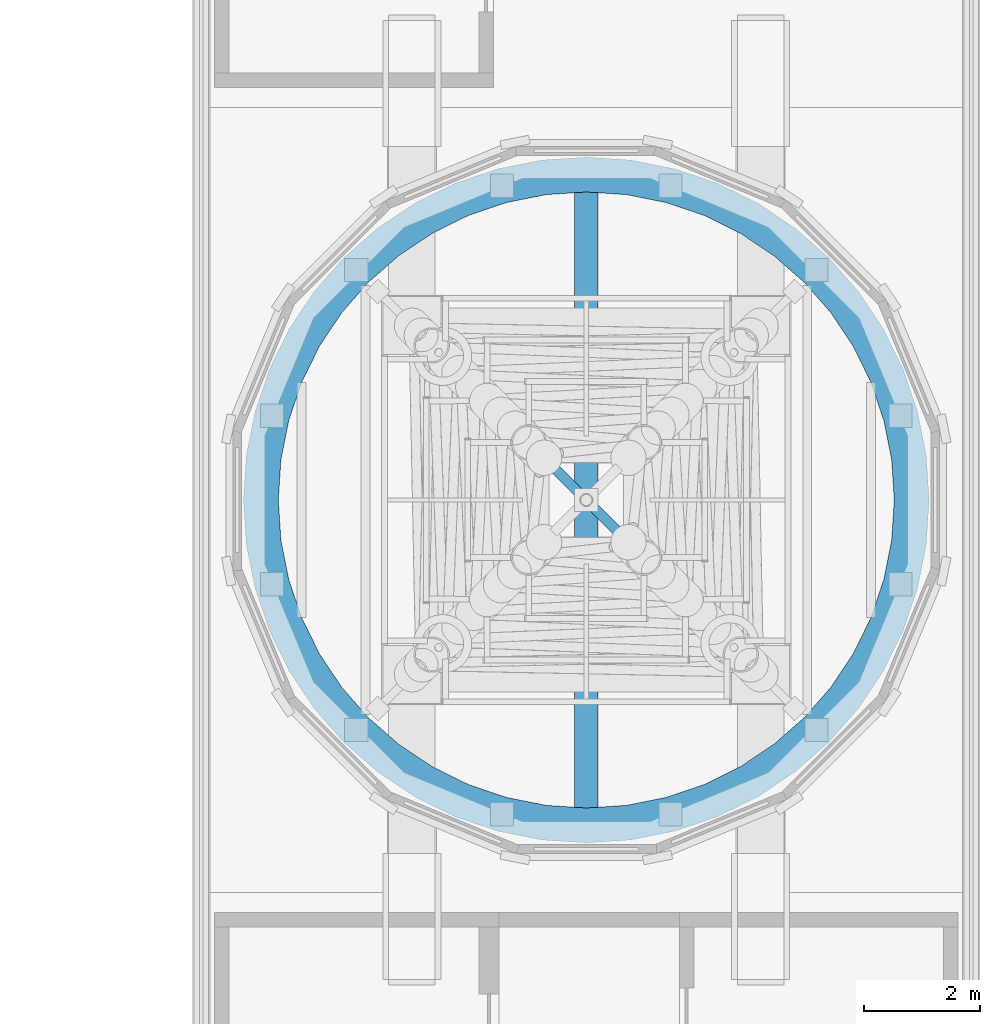
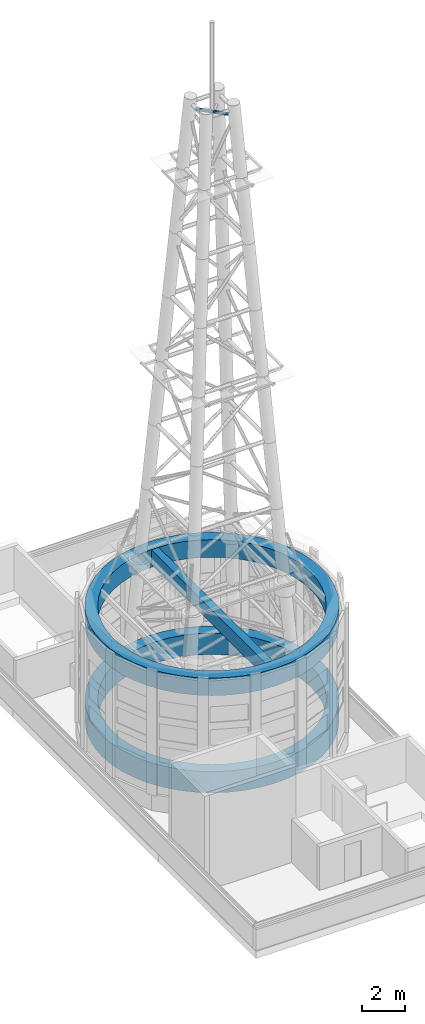
# One storey, part 6 of 36: 3 beams, 1 member.
"""IFC4 building model written with IfcOpenShell, lengths in metres."""

import ifcopenshell
import ifcopenshell.guid

model = None  # the IFC model being written
_history = None  # IfcOwnerHistory: only IFC2X3 demands one
_inside = {}  # id of a spatial element -> (the spatial element, [elements in it])
_under = {}  # id of a project, library or spatial element -> (it, [spatial elements below it])
_declared = {}  # id of a project -> (the project, [libraries it declares])
_typed = {}  # id of a type object -> (the type object, [elements of that type])
_made_of = {}  # id of a material, layer set ... -> (it, [elements and type objects made of it])


def new_model(schema):
    """Start an empty IFC model of exactly this schema.

    Asked for "IFC4X3", IfcOpenShell would pick the latest addendum, in which some entities
    have other attributes; the version numbers below select the first issue.
    IFC2X3 requires an IfcOwnerHistory on every rooted entity: one is made here for all.
    """
    global model, _history
    if schema == "IFC4X3":
        model = ifcopenshell.file(schema_version=(4, 3, 0, 0))
    else:
        model = ifcopenshell.file(schema=schema)
    _inside.clear()
    _under.clear()
    _declared.clear()
    _typed.clear()
    _made_of.clear()
    _history = None
    if model.schema == "IFC2X3":
        org = make("IfcOrganization", Name="unknown")
        user = make(
            "IfcPersonAndOrganization",
            ThePerson=make("IfcPerson", FamilyName="unknown"),
            TheOrganization=org,
        )
        app = make(
            "IfcApplication",
            ApplicationDeveloper=org,
            Version="unknown",
            ApplicationFullName="unknown",
            ApplicationIdentifier="unknown",
        )
        _history = make(
            "IfcOwnerHistory",
            OwningUser=user,
            OwningApplication=app,
            ChangeAction="ADDED",
            CreationDate=0,
        )
    return model


def make(cls, **values):
    """One entity of the class cls with the attributes given. An attribute that is None is left unset."""
    return model.create_entity(
        cls, **{name: value for name, value in values.items() if value is not None}
    )


def rooted(cls, **values):
    """An entity with a GlobalId (a new one), such as an element, a storey or a relation."""
    return make(cls, GlobalId=ifcopenshell.guid.new(), OwnerHistory=_history, **values)


def si_unit(unit_type, name, prefix=None):
    """IfcSIUnit, for example si_unit("LENGTHUNIT", "METRE", prefix="MILLI")."""
    return make("IfcSIUnit", UnitType=unit_type, Prefix=prefix, Name=name)


def assignment(units):
    """IfcUnitAssignment: the units of a project."""
    return None if units is None else make("IfcUnitAssignment", Units=units)


def point(xyz):
    """IfcCartesianPoint."""
    return None if xyz is None else make("IfcCartesianPoint", Coordinates=xyz)


def direction(xyz):
    """IfcDirection."""
    return None if xyz is None else make("IfcDirection", DirectionRatios=xyz)


def frame(location, z_axis=None, x_axis=None):
    """IfcAxis2Placement3D, a coordinate frame: its origin and axes. An axis left out is left unset."""
    return make(
        "IfcAxis2Placement3D",
        Location=point(location),
        Axis=direction(z_axis),
        RefDirection=direction(x_axis),
    )


def frame_2d(location, x_axis=None):
    """IfcAxis2Placement2D, a coordinate frame in the plane: its origin and x axis."""
    return make(
        "IfcAxis2Placement2D", Location=point(location), RefDirection=direction(x_axis)
    )


def origin():
    """The frame at (0, 0, 0) with its axes left unset."""
    return frame((0.0, 0.0, 0.0))


def origin_2d():
    """The frame at (0, 0) in the plane with its x axis left unset."""
    return frame_2d((0.0, 0.0))


def place(relative_to, where):
    """IfcLocalPlacement: puts the frame where relative to a parent placement (None: the world)."""
    return make(
        "IfcLocalPlacement", PlacementRelTo=relative_to, RelativePlacement=where
    )


def context(
    kind, dimensions, precision=None, world=None, true_north=None, identifier=None
):
    """IfcGeometricRepresentationContext, for example the 3D "Model" context."""
    return make(
        "IfcGeometricRepresentationContext",
        ContextIdentifier=identifier,
        ContextType=kind,
        CoordinateSpaceDimension=dimensions,
        Precision=precision,
        WorldCoordinateSystem=world,
        TrueNorth=true_north,
    )


def subcontext(parent, identifier, kind, view, scale=None):
    """IfcGeometricRepresentationSubContext, for example "Body" below "Model"."""
    return make(
        "IfcGeometricRepresentationSubContext",
        ContextIdentifier=identifier,
        ContextType=kind,
        ParentContext=parent,
        TargetScale=scale,
        TargetView=view,
    )


def project(units=None, contexts=None):
    """IfcProject with its units and contexts."""
    return rooted(
        "IfcProject",
        Name="project",
        RepresentationContexts=contexts,
        UnitsInContext=assignment(units),
    )


def spatial(cls, under=None, at=None, **own):
    """A site, building, storey or space (cls), placed at a placement, below another one or the project."""
    s = rooted(cls, ObjectPlacement=at, **own)
    if under is not None:
        _under.setdefault(under.id(), (under, []))[1].append(s)
    return s


def polyline(points):
    """IfcPolyline through the points."""
    return make("IfcPolyline", Points=[point(p) for p in points])


def profile(cls, at=None, kind="AREA", **sizes):
    """A parametric profile (cls). Its sizes go by their IFC names, for example OverallWidth=200.0."""
    return make(cls, ProfileType=kind, Position=at, **sizes)


def hollow_rectangle(**sizes):
    """IfcRectangleHollowProfileDef."""
    return profile("IfcRectangleHollowProfileDef", **sizes)


def hollow_circle(**sizes):
    """IfcCircleHollowProfileDef."""
    return profile("IfcCircleHollowProfileDef", **sizes)


def outline(outer, holes=None, kind="AREA"):
    """IfcArbitraryClosedProfileDef: a profile drawn as a closed curve; with holes, ...WithVoids."""
    if holes is None:
        return make("IfcArbitraryClosedProfileDef", ProfileType=kind, OuterCurve=outer)
    return make(
        "IfcArbitraryProfileDefWithVoids",
        ProfileType=kind,
        OuterCurve=outer,
        InnerCurves=holes,
    )


def extrude(swept, where, along, depth):
    """IfcExtrudedAreaSolid: the profile swept, set in the frame where, extruded along a direction by depth."""
    return make(
        "IfcExtrudedAreaSolid",
        SweptArea=swept,
        Position=where,
        ExtrudedDirection=direction(along),
        Depth=depth,
    )


def shape(context_of_items, identifier, shape_type, items):
    """IfcShapeRepresentation: the items that make up one representation, for example the "Body"."""
    return make(
        "IfcShapeRepresentation",
        ContextOfItems=context_of_items,
        RepresentationIdentifier=identifier,
        RepresentationType=shape_type,
        Items=items,
    )


def material(Name=None, Category=None):
    """IfcMaterial."""
    return make("IfcMaterial", Name=Name, Category=Category)


def material_profile(
    of_material, cross_section, Name=None, Category=None, Priority=None
):
    """IfcMaterialProfile: a cross section and its material."""
    return make(
        "IfcMaterialProfile",
        Name=Name,
        Material=of_material,
        Profile=cross_section,
        Priority=Priority,
        Category=Category,
    )


def profile_set(profiles, Name=None, composite=None):
    """IfcMaterialProfileSet."""
    return make(
        "IfcMaterialProfileSet",
        Name=Name,
        MaterialProfiles=profiles,
        CompositeProfile=composite,
    )


def made_of(thing, what):
    """Note that an element or type object is made of a material, layer set ...; save() writes the relation."""
    if what is not None:
        _made_of.setdefault(what.id(), (what, []))[1].append(thing)
    return thing


def type_object(cls, material=None, **own):
    """A type object (cls), such as IfcWallType, which elements share."""
    return made_of(rooted(cls, **own), material)


def element(
    cls,
    number,
    at=None,
    inside=None,
    cuts=None,
    type_object=None,
    material=None,
    context=None,
    identifier="Body",
    shape_type=None,
    held_by="IfcProductDefinitionShape",
    body=None,
    shapes=None,
    **own,
):
    """One element of the class cls, such as IfcWall. Its Tag is "e" and its number.

    at: its placement. inside: the storey or other place that contains it. cuts: it is an
    opening in that element (IfcRelVoidsElement). A single representation is given by context,
    identifier, shape_type and body (its items); several are given by shapes. held_by: the class
    of the entity that holds the representations. save() writes the other relations.
    """
    e = rooted(cls, Tag="e%d" % number, ObjectPlacement=at, **own)
    if body is not None:
        shapes = [shape(context, identifier, shape_type, body)]
    if shapes is not None:
        e.Representation = make(held_by, Representations=shapes)
    if inside is not None:
        _inside.setdefault(inside.id(), (inside, []))[1].append(e)
    if cuts is not None:
        rooted(
            "IfcRelVoidsElement", RelatingBuildingElement=cuts, RelatedOpeningElement=e
        )
    if type_object is not None:
        _typed.setdefault(type_object.id(), (type_object, []))[1].append(e)
    return made_of(e, material)


def aggregate(whole, parts):
    """IfcRelAggregates: a whole, such as a stair, and the parts it consists of."""
    return rooted("IfcRelAggregates", RelatingObject=whole, RelatedObjects=parts)


def save(model, path):
    """Write the relations noted so far, then the file.

    IfcRelAggregates (storeys below a building ...), IfcRelContainedInSpatialStructure (elements
    in a storey), IfcRelDefinesByType, IfcRelAssociatesMaterial and IfcRelDeclares: one each for
    every whole, place, type object, material and project.
    """
    for whole, parts in _under.values():
        aggregate(whole, parts)
    for where, things in _inside.values():
        rooted(
            "IfcRelContainedInSpatialStructure",
            RelatedElements=things,
            RelatingStructure=where,
        )
    for kind, things in _typed.values():
        rooted("IfcRelDefinesByType", RelatedObjects=things, RelatingType=kind)
    for what, things in _made_of.values():
        rooted("IfcRelAssociatesMaterial", RelatedObjects=things, RelatingMaterial=what)
    for by, libraries in _declared.values():
        rooted("IfcRelDeclares", RelatingContext=by, RelatedDefinitions=libraries)
    model.write(path)


model = new_model("IFC4")

# Units and contexts
model_context = context("Model", 3, precision=1e-05, world=origin(), true_north=direction((0.0, 1.0)))
body_context = subcontext(model_context, "Body", "Model", "MODEL_VIEW")
ifc_project = project(units=[si_unit("LENGTHUNIT", "METRE"), si_unit("AREAUNIT", "SQUARE_METRE"), si_unit("VOLUMEUNIT", "CUBIC_METRE"), si_unit("PLANEANGLEUNIT", "RADIAN"), si_unit("MASSUNIT", "GRAM", prefix="KILO")], contexts=[model_context])

# Site, building, storey
site_placement = place(None, origin())
site = spatial("IfcSite", under=ifc_project, at=site_placement, CompositionType="ELEMENT")
building_placement = place(site_placement, origin())
building = spatial("IfcBuilding", under=site, at=building_placement, Name="Ipe Terrace Towers", CompositionType="ELEMENT")
storey_placement = place(building_placement, frame((0.0, 0.0, 264.89990234375)))
storey = spatial("IfcBuildingStorey", under=building, at=storey_placement, Name="Roof", CompositionType="ELEMENT", Elevation=264.89990234375)

# Beams
ifc_material_1 = material(Name="Concrete C40/50", Category="concrete")
beam_type_1 = type_object("IfcBeamType", Name="CROWN-DRUM RING BEAM C40/50 600x1000", PredefinedType="BEAM", material=ifc_material_1)
beam_1_placement = place(storey_placement, frame((0.0, 0.0, 6.7001953125)))
element("IfcBeam", 1, at=beam_1_placement, inside=storey, type_object=beam_type_1, Name="T2-CR-RB2 drum top ring beam", PredefinedType="BEAM", context=body_context, shape_type="SweptSolid", body=[
    extrude(outline(polyline([(36.0, 5.89990234375), (35.22998046875, 5.85009765625), (34.472900390625, 5.698974609375), (33.741943359375, 5.450927734375), (33.050048828125, 5.110107421875), (32.407958984375, 4.680908203125), (31.827880859375, 4.172119140625), (31.319091796875, 3.592041015625), (30.889892578125, 2.949951171875), (30.549072265625, 2.258056640625), (30.301025390625, 1.527099609375), (30.14990234375, 0.77001953125), (30.10009765625, 0.0), (30.14990234375, -0.77001953125), (30.301025390625, -1.527099609375), (30.549072265625, -2.258056640625), (30.889892578125, -2.949951171875), (31.319091796875, -3.592041015625), (31.827880859375, -4.172119140625), (32.407958984375, -4.680908203125), (33.050048828125, -5.110107421875), (33.741943359375, -5.450927734375), (34.472900390625, -5.698974609375), (35.22998046875, -5.85009765625), (36.0, -5.89990234375), (36.77001953125, -5.85009765625), (37.527099609375, -5.698974609375), (38.258056640625, -5.450927734375), (38.949951171875, -5.110107421875), (39.592041015625, -4.680908203125), (40.172119140625, -4.172119140625), (40.680908203125, -3.592041015625), (41.110107421875, -2.949951171875), (41.450927734375, -2.258056640625), (41.698974609375, -1.527099609375), (41.85009765625, -0.77001953125), (41.89990234375, 0.0), (41.85009765625, 0.77001953125), (41.698974609375, 1.527099609375), (41.450927734375, 2.258056640625), (41.110107421875, 2.949951171875), (40.680908203125, 3.592041015625), (40.172119140625, 4.172119140625), (39.592041015625, 4.680908203125), (38.949951171875, 5.110107421875), (38.258056640625, 5.450927734375), (37.527099609375, 5.698974609375), (36.77001953125, 5.85009765625), (36.0, 5.89990234375)]), holes=[polyline([(36.0, 5.300048828125), (35.30810546875, 5.2548828125), (34.6279296875, 5.118896484375), (33.971923828125, 4.89697265625), (33.35009765625, 4.590087890625), (32.77392578125, 4.205078125), (32.251953125, 3.748046875), (31.794921875, 3.22607421875), (31.409912109375, 2.64990234375), (31.10302734375, 2.028076171875), (30.881103515625, 1.3720703125), (30.7451171875, 0.69189453125), (30.699951171875, 0.0), (30.7451171875, -0.69189453125), (30.881103515625, -1.3720703125), (31.10302734375, -2.028076171875), (31.409912109375, -2.64990234375), (31.794921875, -3.22607421875), (32.251953125, -3.748046875), (32.77392578125, -4.205078125), (33.35009765625, -4.590087890625), (33.971923828125, -4.89697265625), (34.6279296875, -5.118896484375), (35.30810546875, -5.2548828125), (36.0, -5.300048828125), (36.69189453125, -5.2548828125), (37.3720703125, -5.118896484375), (38.028076171875, -4.89697265625), (38.64990234375, -4.590087890625), (39.22607421875, -4.205078125), (39.748046875, -3.748046875), (40.205078125, -3.22607421875), (40.590087890625, -2.64990234375), (40.89697265625, -2.028076171875), (41.118896484375, -1.3720703125), (41.2548828125, -0.69189453125), (41.300048828125, 0.0), (41.2548828125, 0.69189453125), (41.118896484375, 1.3720703125), (40.89697265625, 2.028076171875), (40.590087890625, 2.64990234375), (40.205078125, 3.22607421875), (39.748046875, 3.748046875), (39.22607421875, 4.205078125), (38.64990234375, 4.590087890625), (38.028076171875, 4.89697265625), (37.3720703125, 5.118896484375), (36.69189453125, 5.2548828125), (36.0, 5.300048828125)])]), origin(), (0.0, 0.0, 1.0), 1.0),
])
ifc_material_2 = material(Name="Steel S355", Category="steel")
ifc_material_profile_1 = material_profile(ifc_material_2, hollow_rectangle(XDim=0.39990234375, YDim=0.800048828125, WallThickness=0.02001953125, at=origin_2d()), Name="CROWN-DRUM ROOF BEAM BOX 400x800x20")
ifc_profile_set_1 = profile_set([ifc_material_profile_1], Name="Steel S355")
beam_type_2 = type_object("IfcBeamType", Name="CROWN-DRUM ROOF BEAM BOX 400x800x20", PredefinedType="BEAM", material=ifc_profile_set_1)
beam_2_placement = place(storey_placement, frame((36.0, -5.2880859375, 7.300048828125), z_axis=(0.0, 1.0, 0.0), x_axis=(-1.0, 0.0, 0.0)))
element("IfcBeam", 2, at=beam_2_placement, inside=storey, type_object=beam_type_2, Name="T2-CR-RF1 drum roof beam", PredefinedType="BEAM", context=body_context, shape_type="SweptSolid", body=[
    extrude(hollow_rectangle(XDim=0.39990234375, YDim=0.800048828125, WallThickness=0.02001953125, at=origin_2d()), origin(), (0.0, 0.0, 1.0), 10.576171875),
])
ifc_material_3 = material(Name="Concrete C40/50", Category="concrete")
beam_type_3 = type_object("IfcBeamType", Name="CROWN-DRUM TRANSFER GIRDER C40/50 600x1200", PredefinedType="BEAM", material=ifc_material_3)
beam_3_placement = place(storey_placement, frame((0.0, 0.0, 1.2001953125)))
element("IfcBeam", 3, at=beam_3_placement, inside=storey, type_object=beam_type_3, Name="T2-TG-C1 drum base transfer girder", PredefinedType="BEAM", context=body_context, shape_type="SweptSolid", body=[
    extrude(outline(polyline([(36.0, 5.89990234375), (35.22998046875, 5.85009765625), (34.472900390625, 5.698974609375), (33.741943359375, 5.450927734375), (33.050048828125, 5.110107421875), (32.407958984375, 4.680908203125), (31.827880859375, 4.172119140625), (31.319091796875, 3.592041015625), (30.889892578125, 2.949951171875), (30.549072265625, 2.258056640625), (30.301025390625, 1.527099609375), (30.14990234375, 0.77001953125), (30.10009765625, 0.0), (30.14990234375, -0.77001953125), (30.301025390625, -1.527099609375), (30.549072265625, -2.258056640625), (30.889892578125, -2.949951171875), (31.319091796875, -3.592041015625), (31.827880859375, -4.172119140625), (32.407958984375, -4.680908203125), (33.050048828125, -5.110107421875), (33.741943359375, -5.450927734375), (34.472900390625, -5.698974609375), (35.22998046875, -5.85009765625), (36.0, -5.89990234375), (36.77001953125, -5.85009765625), (37.527099609375, -5.698974609375), (38.258056640625, -5.450927734375), (38.949951171875, -5.110107421875), (39.592041015625, -4.680908203125), (40.172119140625, -4.172119140625), (40.680908203125, -3.592041015625), (41.110107421875, -2.949951171875), (41.450927734375, -2.258056640625), (41.698974609375, -1.527099609375), (41.85009765625, -0.77001953125), (41.89990234375, 0.0), (41.85009765625, 0.77001953125), (41.698974609375, 1.527099609375), (41.450927734375, 2.258056640625), (41.110107421875, 2.949951171875), (40.680908203125, 3.592041015625), (40.172119140625, 4.172119140625), (39.592041015625, 4.680908203125), (38.949951171875, 5.110107421875), (38.258056640625, 5.450927734375), (37.527099609375, 5.698974609375), (36.77001953125, 5.85009765625), (36.0, 5.89990234375)]), holes=[polyline([(36.0, 5.300048828125), (35.30810546875, 5.2548828125), (34.6279296875, 5.118896484375), (33.971923828125, 4.89697265625), (33.35009765625, 4.590087890625), (32.77392578125, 4.205078125), (32.251953125, 3.748046875), (31.794921875, 3.22607421875), (31.409912109375, 2.64990234375), (31.10302734375, 2.028076171875), (30.881103515625, 1.3720703125), (30.7451171875, 0.69189453125), (30.699951171875, 0.0), (30.7451171875, -0.69189453125), (30.881103515625, -1.3720703125), (31.10302734375, -2.028076171875), (31.409912109375, -2.64990234375), (31.794921875, -3.22607421875), (32.251953125, -3.748046875), (32.77392578125, -4.205078125), (33.35009765625, -4.590087890625), (33.971923828125, -4.89697265625), (34.6279296875, -5.118896484375), (35.30810546875, -5.2548828125), (36.0, -5.300048828125), (36.69189453125, -5.2548828125), (37.3720703125, -5.118896484375), (38.028076171875, -4.89697265625), (38.64990234375, -4.590087890625), (39.22607421875, -4.205078125), (39.748046875, -3.748046875), (40.205078125, -3.22607421875), (40.590087890625, -2.64990234375), (40.89697265625, -2.028076171875), (41.118896484375, -1.3720703125), (41.2548828125, -0.69189453125), (41.300048828125, 0.0), (41.2548828125, 0.69189453125), (41.118896484375, 1.3720703125), (40.89697265625, 2.028076171875), (40.590087890625, 2.64990234375), (40.205078125, 3.22607421875), (39.748046875, 3.748046875), (39.22607421875, 4.205078125), (38.64990234375, 4.590087890625), (38.028076171875, 4.89697265625), (37.3720703125, 5.118896484375), (36.69189453125, 5.2548828125), (36.0, 5.300048828125)])]), origin(), (0.0, 0.0, 1.0), 1.199951171875),
])

# Member
ifc_material_4 = material(Name="Steel S355", Category="steel")
ifc_material_profile_2 = material_profile(ifc_material_4, hollow_circle(Radius=0.083984375, WallThickness=0.008056640625, at=origin_2d()), Name="MAST-TOP BRACE CHS 168x8")
ifc_profile_set_2 = profile_set([ifc_material_profile_2], Name="Steel S355")
member_type = type_object("IfcMemberType", Name="MAST-TOP BRACE CHS 168x8", PredefinedType="BRACE", material=ifc_profile_set_2)
member_placement = place(storey_placement, frame((36.551025390625, -0.551025390625, 35.650146484375), z_axis=(-0.707106781187, 0.707106781187, 0.0), x_axis=(-0.707106781187, -0.707106781187, 0.0)))
element("IfcMember", 4, at=member_placement, inside=storey, type_object=member_type, Name="T2-MS-T1 mast top brace", PredefinedType="BRACE", context=body_context, shape_type="SweptSolid", body=[
    extrude(hollow_circle(Radius=0.083984375, WallThickness=0.008056640625, at=origin_2d()), origin(), (0.0, 0.0, 1.0), 1.55859375),
])

save(model, "model.ifc")
